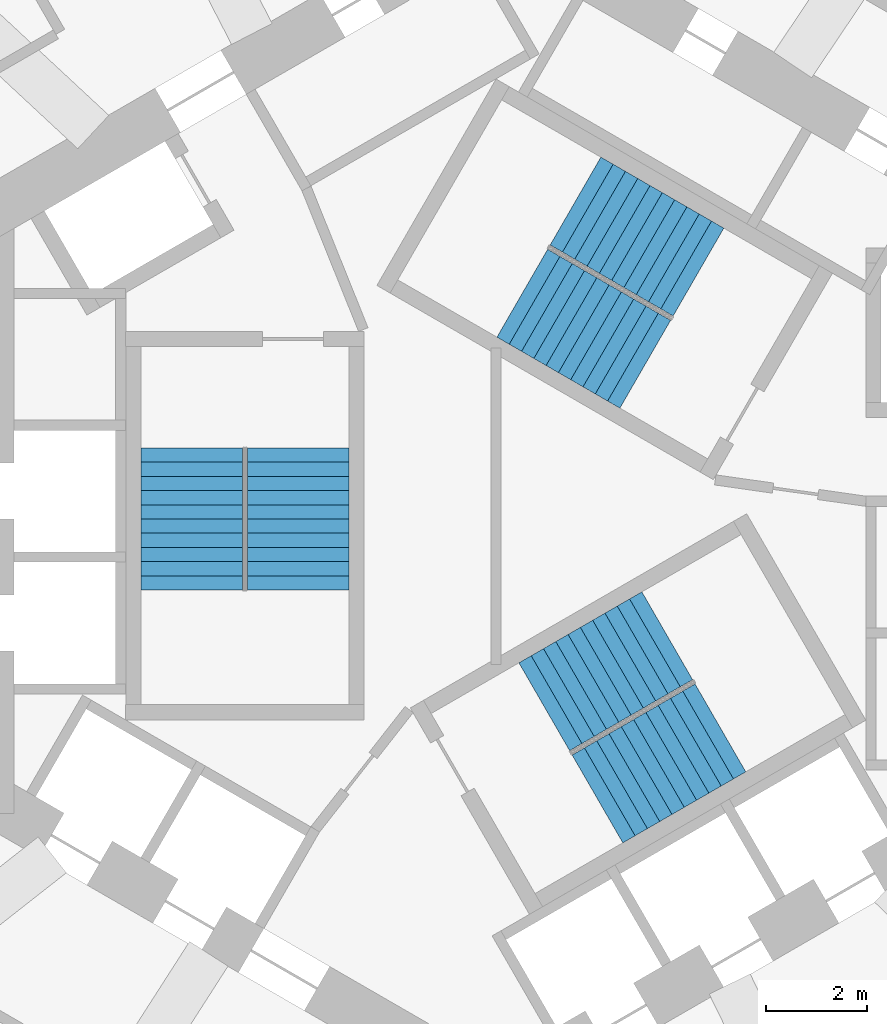
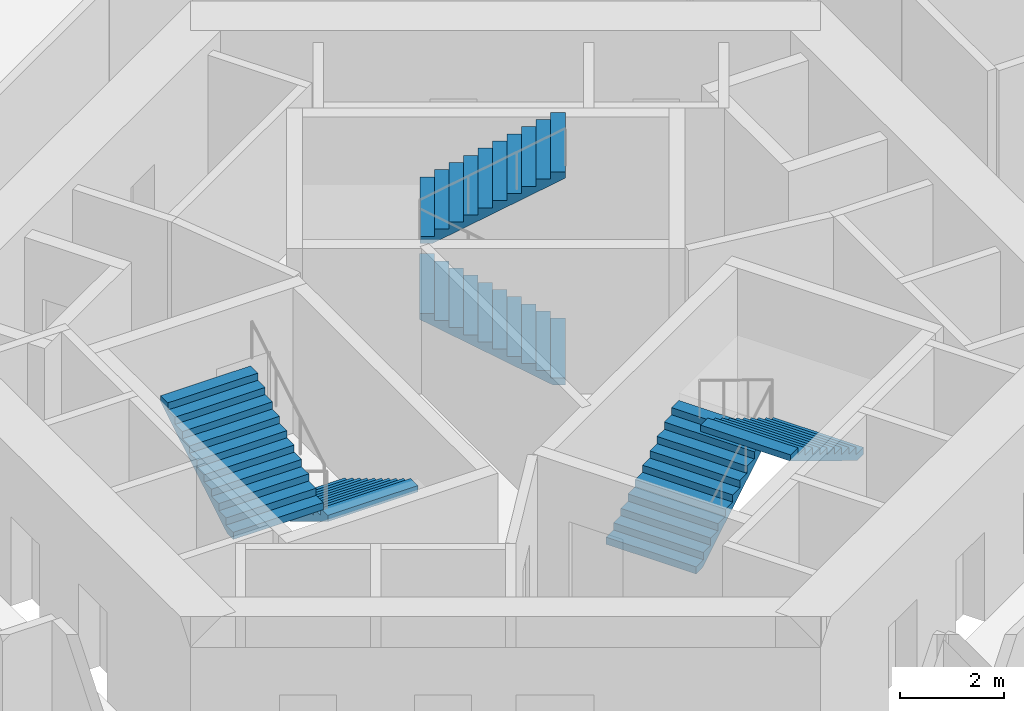
# One storey, part 8 of 10: 6 stair flights, 3 elements without a shape of their own.
"""IFC4 building model written with IfcOpenShell, lengths in metres."""

import ifcopenshell
import ifcopenshell.guid

model = None  # the IFC model being written
_history = None  # IfcOwnerHistory: only IFC2X3 demands one
_inside = {}  # id of a spatial element -> (the spatial element, [elements in it])
_under = {}  # id of a project, library or spatial element -> (it, [spatial elements below it])
_declared = {}  # id of a project -> (the project, [libraries it declares])
_typed = {}  # id of a type object -> (the type object, [elements of that type])
_made_of = {}  # id of a material, layer set ... -> (it, [elements and type objects made of it])


def new_model(schema):
    """Start an empty IFC model of exactly this schema.

    Asked for "IFC4X3", IfcOpenShell would pick the latest addendum, in which some entities
    have other attributes; the version numbers below select the first issue.
    IFC2X3 requires an IfcOwnerHistory on every rooted entity: one is made here for all.
    """
    global model, _history
    if schema == "IFC4X3":
        model = ifcopenshell.file(schema_version=(4, 3, 0, 0))
    else:
        model = ifcopenshell.file(schema=schema)
    _inside.clear()
    _under.clear()
    _declared.clear()
    _typed.clear()
    _made_of.clear()
    _history = None
    if model.schema == "IFC2X3":
        org = make("IfcOrganization", Name="unknown")
        user = make(
            "IfcPersonAndOrganization",
            ThePerson=make("IfcPerson", FamilyName="unknown"),
            TheOrganization=org,
        )
        app = make(
            "IfcApplication",
            ApplicationDeveloper=org,
            Version="unknown",
            ApplicationFullName="unknown",
            ApplicationIdentifier="unknown",
        )
        _history = make(
            "IfcOwnerHistory",
            OwningUser=user,
            OwningApplication=app,
            ChangeAction="ADDED",
            CreationDate=0,
        )
    return model


def make(cls, **values):
    """One entity of the class cls with the attributes given. An attribute that is None is left unset."""
    return model.create_entity(
        cls, **{name: value for name, value in values.items() if value is not None}
    )


def rooted(cls, **values):
    """An entity with a GlobalId (a new one), such as an element, a storey or a relation."""
    return make(cls, GlobalId=ifcopenshell.guid.new(), OwnerHistory=_history, **values)


def si_unit(unit_type, name, prefix=None):
    """IfcSIUnit, for example si_unit("LENGTHUNIT", "METRE", prefix="MILLI")."""
    return make("IfcSIUnit", UnitType=unit_type, Prefix=prefix, Name=name)


def assignment(units):
    """IfcUnitAssignment: the units of a project."""
    return None if units is None else make("IfcUnitAssignment", Units=units)


def point(xyz):
    """IfcCartesianPoint."""
    return None if xyz is None else make("IfcCartesianPoint", Coordinates=xyz)


def direction(xyz):
    """IfcDirection."""
    return None if xyz is None else make("IfcDirection", DirectionRatios=xyz)


def frame(location, z_axis=None, x_axis=None):
    """IfcAxis2Placement3D, a coordinate frame: its origin and axes. An axis left out is left unset."""
    return make(
        "IfcAxis2Placement3D",
        Location=point(location),
        Axis=direction(z_axis),
        RefDirection=direction(x_axis),
    )


def origin():
    """The frame at (0, 0, 0) with its axes left unset."""
    return frame((0.0, 0.0, 0.0))


def place(relative_to, where):
    """IfcLocalPlacement: puts the frame where relative to a parent placement (None: the world)."""
    return make(
        "IfcLocalPlacement", PlacementRelTo=relative_to, RelativePlacement=where
    )


def context(
    kind, dimensions, precision=None, world=None, true_north=None, identifier=None
):
    """IfcGeometricRepresentationContext, for example the 3D "Model" context."""
    return make(
        "IfcGeometricRepresentationContext",
        ContextIdentifier=identifier,
        ContextType=kind,
        CoordinateSpaceDimension=dimensions,
        Precision=precision,
        WorldCoordinateSystem=world,
        TrueNorth=true_north,
    )


def subcontext(parent, identifier, kind, view, scale=None):
    """IfcGeometricRepresentationSubContext, for example "Body" below "Model"."""
    return make(
        "IfcGeometricRepresentationSubContext",
        ContextIdentifier=identifier,
        ContextType=kind,
        ParentContext=parent,
        TargetScale=scale,
        TargetView=view,
    )


def project(units=None, contexts=None):
    """IfcProject with its units and contexts."""
    return rooted(
        "IfcProject",
        Name="project",
        RepresentationContexts=contexts,
        UnitsInContext=assignment(units),
    )


def spatial(cls, under=None, at=None, **own):
    """A site, building, storey or space (cls), placed at a placement, below another one or the project."""
    s = rooted(cls, ObjectPlacement=at, **own)
    if under is not None:
        _under.setdefault(under.id(), (under, []))[1].append(s)
    return s


def point_list(points):
    """IfcCartesianPointList2D or 3D."""
    cls = (
        "IfcCartesianPointList2D" if len(points[0]) == 2 else "IfcCartesianPointList3D"
    )
    return make(cls, CoordList=points)


def triangles(points, corners, closed=None, point_numbers=None):
    """IfcTriangulatedFaceSet: each triangle names its three corners, points numbered from 1."""
    return make(
        "IfcTriangulatedFaceSet",
        Coordinates=point_list(points),
        Closed=closed,
        CoordIndex=corners,
        PnIndex=point_numbers,
    )


def shape(context_of_items, identifier, shape_type, items):
    """IfcShapeRepresentation: the items that make up one representation, for example the "Body"."""
    return make(
        "IfcShapeRepresentation",
        ContextOfItems=context_of_items,
        RepresentationIdentifier=identifier,
        RepresentationType=shape_type,
        Items=items,
    )


def source(mapping_origin, context_of_items, identifier, shape_type, items):
    """IfcRepresentationMap: a shape defined once, which mapped items show again and again."""
    return make(
        "IfcRepresentationMap",
        MappingOrigin=mapping_origin,
        MappedRepresentation=shape(context_of_items, identifier, shape_type, items),
    )


def transform(
    local_origin,
    x_axis=None,
    y_axis=None,
    z_axis=None,
    scale=None,
    scale2=None,
    scale3=None,
    uniform=True,
):
    """IfcCartesianTransformationOperator3D, or its non-uniform kind. x_axis, y_axis, z_axis: its Axis1, 2, 3."""
    if uniform:
        return make(
            "IfcCartesianTransformationOperator3D",
            Axis1=direction(x_axis),
            Axis2=direction(y_axis),
            LocalOrigin=point(local_origin),
            Scale=scale,
            Axis3=direction(z_axis),
        )
    return make(
        "IfcCartesianTransformationOperator3DnonUniform",
        Axis1=direction(x_axis),
        Axis2=direction(y_axis),
        LocalOrigin=point(local_origin),
        Scale=scale,
        Axis3=direction(z_axis),
        Scale2=scale2,
        Scale3=scale3,
    )


def mapped(mapping_source, mapping_target):
    """IfcMappedItem: shows the shape of a source again, moved by a transform."""
    return make(
        "IfcMappedItem", MappingSource=mapping_source, MappingTarget=mapping_target
    )


def material(Name=None, Category=None):
    """IfcMaterial."""
    return make("IfcMaterial", Name=Name, Category=Category)


def made_of(thing, what):
    """Note that an element or type object is made of a material, layer set ...; save() writes the relation."""
    if what is not None:
        _made_of.setdefault(what.id(), (what, []))[1].append(thing)
    return thing


def type_object(cls, material=None, **own):
    """A type object (cls), such as IfcWallType, which elements share."""
    return made_of(rooted(cls, **own), material)


def element(
    cls,
    number,
    at=None,
    inside=None,
    cuts=None,
    type_object=None,
    material=None,
    context=None,
    identifier="Body",
    shape_type=None,
    held_by="IfcProductDefinitionShape",
    body=None,
    shapes=None,
    **own,
):
    """One element of the class cls, such as IfcWall. Its Tag is "e" and its number.

    at: its placement. inside: the storey or other place that contains it. cuts: it is an
    opening in that element (IfcRelVoidsElement). A single representation is given by context,
    identifier, shape_type and body (its items); several are given by shapes. held_by: the class
    of the entity that holds the representations. save() writes the other relations.
    """
    e = rooted(cls, Tag="e%d" % number, ObjectPlacement=at, **own)
    if body is not None:
        shapes = [shape(context, identifier, shape_type, body)]
    if shapes is not None:
        e.Representation = make(held_by, Representations=shapes)
    if inside is not None:
        _inside.setdefault(inside.id(), (inside, []))[1].append(e)
    if cuts is not None:
        rooted(
            "IfcRelVoidsElement", RelatingBuildingElement=cuts, RelatedOpeningElement=e
        )
    if type_object is not None:
        _typed.setdefault(type_object.id(), (type_object, []))[1].append(e)
    return made_of(e, material)


def aggregate(whole, parts):
    """IfcRelAggregates: a whole, such as a stair, and the parts it consists of."""
    return rooted("IfcRelAggregates", RelatingObject=whole, RelatedObjects=parts)


def save(model, path):
    """Write the relations noted so far, then the file.

    IfcRelAggregates (storeys below a building ...), IfcRelContainedInSpatialStructure (elements
    in a storey), IfcRelDefinesByType, IfcRelAssociatesMaterial and IfcRelDeclares: one each for
    every whole, place, type object, material and project.
    """
    for whole, parts in _under.values():
        aggregate(whole, parts)
    for where, things in _inside.values():
        rooted(
            "IfcRelContainedInSpatialStructure",
            RelatedElements=things,
            RelatingStructure=where,
        )
    for kind, things in _typed.values():
        rooted("IfcRelDefinesByType", RelatedObjects=things, RelatingType=kind)
    for what, things in _made_of.values():
        rooted("IfcRelAssociatesMaterial", RelatedObjects=things, RelatingMaterial=what)
    for by, libraries in _declared.values():
        rooted("IfcRelDeclares", RelatingContext=by, RelatedDefinitions=libraries)
    model.write(path)


model = new_model("IFC4")

# Units and contexts
model_context = context("Model", 3, precision=1e-05, world=origin(), true_north=direction((0.0, 1.0)))
body_context = subcontext(model_context, "Body", "Model", "MODEL_VIEW")
ifc_project = project(units=[si_unit("LENGTHUNIT", "METRE"), si_unit("AREAUNIT", "SQUARE_METRE"), si_unit("VOLUMEUNIT", "CUBIC_METRE"), si_unit("PLANEANGLEUNIT", "RADIAN"), si_unit("MASSUNIT", "GRAM", prefix="KILO")], contexts=[model_context])

# Site, building, storey
site_placement = place(None, origin())
site = spatial("IfcSite", under=ifc_project, at=site_placement, CompositionType="ELEMENT")
building_placement = place(site_placement, origin())
building = spatial("IfcBuilding", under=site, at=building_placement, Name="Vanh Sen Convention Tower", CompositionType="ELEMENT")
storey_placement = place(building_placement, frame((0.0, 0.0, 161.39990234375)))
storey = spatial("IfcBuildingStorey", under=building, at=storey_placement, Name="L39", CompositionType="ELEMENT", Elevation=161.39990234375)

# Stair, stair flights
ifc_material_1 = material(Name="Concrete C50/60", Category="concrete")
stair_type_1 = type_object("IfcStairType", Name="Exit stair ST1 22 risers at 168.2", PredefinedType="HALF_TURN_STAIR", material=ifc_material_1)
stair_1_placement = place(storey_placement, origin())
stair_1 = element("IfcStair", 1, at=stair_1_placement, inside=storey, type_object=stair_type_1, Name="Exit stair ST1 L39", PredefinedType="HALF_TURN_STAIR")
ifc_material_2 = material(Name="Concrete C40/50", Category="concrete")
stair_flight_type = type_object("IfcStairFlightType", Name="Stair flight 2000", PredefinedType="STRAIGHT", material=ifc_material_2)
shared_shape = source(origin(), body_context, "Body", "Tessellation", [
    triangles([(0.24267578125, 1.0, 0.0), (0.0, 1.0, 0.0), (0.0, 1.0, 0.168212890625), (0.280029296875, 1.0, 0.168212890625), (0.280029296875, 1.0, 0.33642578125), (0.56005859375, 1.0, 0.33642578125), (0.56005859375, 1.0, 0.504638671875), (0.840087890625, 1.0, 0.504638671875), (0.840087890625, 1.0, 0.672607421875), (1.1201171875, 1.0, 0.672607421875), (1.1201171875, 1.0, 0.8408203125), (1.39990234375, 1.0, 0.8408203125), (1.39990234375, 1.0, 1.009033203125), (1.679931640625, 1.0, 1.009033203125), (1.679931640625, 1.0, 1.17724609375), (1.9599609375, 1.0, 1.17724609375), (1.9599609375, 1.0, 1.345458984375), (2.239990234375, 1.0, 1.345458984375), (2.239990234375, 1.0, 1.513671875), (2.52001953125, 1.0, 1.513671875), (2.52001953125, 1.0, 1.681884765625), (2.800048828125, 1.0, 1.681884765625), (2.800048828125, 1.0, 1.535888671875), (0.24267578125, -1.0, 0.0), (0.0, -1.0, 0.0), (0.0, -1.0, 0.168212890625), (0.280029296875, -1.0, 0.168212890625), (0.280029296875, -1.0, 0.33642578125), (0.56005859375, -1.0, 0.33642578125), (0.56005859375, -1.0, 0.504638671875), (0.840087890625, -1.0, 0.504638671875), (0.840087890625, -1.0, 0.672607421875), (1.1201171875, -1.0, 0.672607421875), (1.1201171875, -1.0, 0.8408203125), (1.39990234375, -1.0, 0.8408203125), (1.39990234375, -1.0, 1.009033203125), (1.679931640625, -1.0, 1.009033203125), (1.679931640625, -1.0, 1.17724609375), (1.9599609375, -1.0, 1.17724609375), (1.9599609375, -1.0, 1.345458984375), (2.239990234375, -1.0, 1.345458984375), (2.239990234375, -1.0, 1.513671875), (2.52001953125, -1.0, 1.513671875), (2.52001953125, -1.0, 1.681884765625), (2.800048828125, -1.0, 1.681884765625), (2.800048828125, -1.0, 1.535888671875), (0.0, 0.0400390625, 0.0), (0.0, 0.0390625, 0.0), (0.0, 0.0380859375, 0.0), (0.0, 0.037109375, 0.0), (0.0, 0.035888671875, 0.0), (0.0, 0.034912109375, 0.0), (0.0, 0.033935546875, 0.0), (0.0, 0.032958984375, 0.0), (0.0, 0.031982421875, 0.0), (0.0, 0.031005859375, 0.0), (0.0, 0.030029296875, 0.0), (0.0, 0.029052734375, 0.0), (0.0, 0.028076171875, 0.0), (0.0, 0.027099609375, 0.0), (0.0, 0.02587890625, 0.0), (0.0, 0.02490234375, 0.0), (0.0, 0.02392578125, 0.0), (0.0, 0.02294921875, 0.0), (0.0, 0.02197265625, 0.0), (0.0, 0.02099609375, 0.0), (0.0, 0.02001953125, 0.0), (0.0, 0.01904296875, 0.0), (0.0, 0.01806640625, 0.0), (0.0, 0.01708984375, 0.0), (0.0, 0.01611328125, 0.0), (0.0, 0.014892578125, 0.0), (0.0, 0.013916015625, 0.0), (0.0, 0.012939453125, 0.0), (0.0, 0.011962890625, 0.0), (0.0, 0.010986328125, 0.0), (0.0, 0.010009765625, 0.0), (0.0, 0.009033203125, 0.0), (0.0, 0.008056640625, 0.0), (0.0, 0.007080078125, 0.0), (0.0, 0.006103515625, 0.0), (0.0, 0.0048828125, 0.0), (0.0, 0.00390625, 0.0), (0.0, 0.0029296875, 0.0), (0.0, 0.001953125, 0.0), (0.0, 0.0009765625, 0.0), (0.0, 0.0, 0.0), (0.0, -0.0009765625, 0.0), (0.0, -0.001953125, 0.0), (0.0, -0.0029296875, 0.0), (0.0, -0.00390625, 0.0), (0.0, -0.0048828125, 0.0), (0.0, -0.006103515625, 0.0), (0.0, -0.007080078125, 0.0), (0.0, -0.008056640625, 0.0), (0.0, -0.009033203125, 0.0), (0.0, -0.010009765625, 0.0), (0.0, -0.010986328125, 0.0), (0.0, -0.011962890625, 0.0), (0.0, -0.012939453125, 0.0), (0.0, -0.013916015625, 0.0), (0.0, -0.014892578125, 0.0), (0.0, -0.01611328125, 0.0), (0.0, -0.01708984375, 0.0), (0.0, -0.01806640625, 0.0), (0.0, -0.01904296875, 0.0), (0.0, -0.02001953125, 0.0), (0.0, -0.02099609375, 0.0), (0.0, -0.02197265625, 0.0), (0.0, -0.02294921875, 0.0), (0.0, -0.02392578125, 0.0), (0.0, -0.02490234375, 0.0), (0.0, -0.02587890625, 0.0), (0.0, -0.027099609375, 0.0), (0.0, -0.028076171875, 0.0), (0.0, -0.029052734375, 0.0), (0.0, -0.030029296875, 0.0), (0.0, -0.031005859375, 0.0), (0.0, -0.031982421875, 0.0), (0.0, -0.032958984375, 0.0), (0.0, -0.033935546875, 0.0), (0.0, -0.034912109375, 0.0), (0.0, -0.035888671875, 0.0), (0.0, -0.037109375, 0.0), (0.0, -0.0380859375, 0.0), (0.0, -0.0390625, 0.0), (0.0, -0.0400390625, 0.0), (0.0, 0.0400390625, 0.168212890625), (0.0, 0.0390625, 0.168212890625), (0.0, 0.0380859375, 0.168212890625), (0.0, 0.037109375, 0.168212890625), (0.0, 0.035888671875, 0.168212890625), (0.0, 0.034912109375, 0.168212890625), (0.0, 0.033935546875, 0.168212890625), (0.0, 0.032958984375, 0.168212890625), (0.0, 0.031982421875, 0.168212890625), (0.0, 0.031005859375, 0.168212890625), (0.0, 0.030029296875, 0.168212890625), (0.0, 0.029052734375, 0.168212890625), (0.0, 0.028076171875, 0.168212890625), (0.0, 0.027099609375, 0.168212890625), (0.0, 0.02587890625, 0.168212890625), (0.0, 0.02490234375, 0.168212890625), (0.0, 0.02392578125, 0.168212890625), (0.0, 0.02294921875, 0.168212890625), (0.0, 0.02197265625, 0.168212890625), (0.0, 0.02099609375, 0.168212890625), (0.0, 0.02001953125, 0.168212890625), (0.0, 0.01904296875, 0.168212890625), (0.0, 0.01806640625, 0.168212890625), (0.0, 0.01708984375, 0.168212890625), (0.0, 0.01611328125, 0.168212890625), (0.0, 0.014892578125, 0.168212890625), (0.0, 0.013916015625, 0.168212890625), (0.0, 0.012939453125, 0.168212890625), (0.0, 0.011962890625, 0.168212890625), (0.0, 0.010986328125, 0.168212890625), (0.0, 0.010009765625, 0.168212890625), (0.0, 0.009033203125, 0.168212890625), (0.0, 0.008056640625, 0.168212890625), (0.0, 0.007080078125, 0.168212890625), (0.0, 0.006103515625, 0.168212890625), (0.0, 0.0048828125, 0.168212890625), (0.0, 0.00390625, 0.168212890625), (0.0, 0.0029296875, 0.168212890625), (0.0, 0.001953125, 0.168212890625), (0.0, 0.0009765625, 0.168212890625), (0.0, 0.0, 0.168212890625), (0.0, -0.0009765625, 0.168212890625), (0.0, -0.001953125, 0.168212890625), (0.0, -0.0029296875, 0.168212890625), (0.0, -0.00390625, 0.168212890625), (0.0, -0.0048828125, 0.168212890625), (0.0, -0.006103515625, 0.168212890625), (0.0, -0.007080078125, 0.168212890625), (0.0, -0.008056640625, 0.168212890625), (0.0, -0.009033203125, 0.168212890625), (0.0, -0.010009765625, 0.168212890625), (0.0, -0.010986328125, 0.168212890625), (0.0, -0.011962890625, 0.168212890625), (0.0, -0.012939453125, 0.168212890625), (0.0, -0.013916015625, 0.168212890625), (0.0, -0.014892578125, 0.168212890625), (0.0, -0.01611328125, 0.168212890625), (0.0, -0.01708984375, 0.168212890625), (0.0, -0.01806640625, 0.168212890625), (0.0, -0.01904296875, 0.168212890625), (0.0, -0.02001953125, 0.168212890625), (0.0, -0.02099609375, 0.168212890625), (0.0, -0.02197265625, 0.168212890625), (0.0, -0.02294921875, 0.168212890625), (0.0, -0.02392578125, 0.168212890625), (0.0, -0.02490234375, 0.168212890625), (0.0, -0.02587890625, 0.168212890625), (0.0, -0.027099609375, 0.168212890625), (0.0, -0.028076171875, 0.168212890625), (0.0, -0.029052734375, 0.168212890625), (0.0, -0.030029296875, 0.168212890625), (0.0, -0.031005859375, 0.168212890625), (0.0, -0.031982421875, 0.168212890625), (0.0, -0.032958984375, 0.168212890625), (0.0, -0.033935546875, 0.168212890625), (0.0, -0.034912109375, 0.168212890625), (0.0, -0.035888671875, 0.168212890625), (0.0, -0.037109375, 0.168212890625), (0.0, -0.0380859375, 0.168212890625), (0.0, -0.0390625, 0.168212890625), (0.0, -0.0400390625, 0.168212890625), (0.280029296875, 0.0, 0.168212890625), (0.280029296875, 0.0, 0.33642578125), (0.56005859375, 0.0, 0.33642578125), (0.56005859375, 0.0, 0.504638671875), (0.840087890625, 0.0, 0.504638671875), (0.840087890625, 0.0, 0.672607421875), (1.1201171875, 0.0, 0.672607421875), (1.1201171875, 0.0, 0.8408203125), (1.39990234375, 0.0, 0.8408203125), (1.39990234375, 0.0, 1.009033203125), (1.679931640625, 0.0, 1.009033203125), (1.679931640625, 0.0, 1.17724609375), (1.9599609375, 0.0, 1.17724609375), (1.9599609375, 0.0, 1.345458984375), (2.239990234375, 0.0, 1.345458984375), (2.239990234375, 0.0, 1.513671875), (2.52001953125, 0.0, 1.513671875), (2.52001953125, 0.0, 1.681884765625), (2.800048828125, 0.0400390625, 1.681884765625), (2.800048828125, 0.0390625, 1.681884765625), (2.800048828125, 0.0380859375, 1.681884765625), (2.800048828125, 0.037109375, 1.681884765625), (2.800048828125, 0.035888671875, 1.681884765625), (2.800048828125, 0.034912109375, 1.681884765625), (2.800048828125, 0.033935546875, 1.681884765625), (2.800048828125, 0.032958984375, 1.681884765625), (2.800048828125, 0.031982421875, 1.681884765625), (2.800048828125, 0.031005859375, 1.681884765625), (2.800048828125, 0.030029296875, 1.681884765625), (2.800048828125, 0.029052734375, 1.681884765625), (2.800048828125, 0.028076171875, 1.681884765625), (2.800048828125, 0.027099609375, 1.681884765625), (2.800048828125, 0.02587890625, 1.681884765625), (2.800048828125, 0.02490234375, 1.681884765625), (2.800048828125, 0.02392578125, 1.681884765625), (2.800048828125, 0.02294921875, 1.681884765625), (2.800048828125, 0.02197265625, 1.681884765625), (2.800048828125, 0.02099609375, 1.681884765625), (2.800048828125, 0.02001953125, 1.681884765625), (2.800048828125, 0.01904296875, 1.681884765625), (2.800048828125, 0.01806640625, 1.681884765625), (2.800048828125, 0.01708984375, 1.681884765625), (2.800048828125, 0.01611328125, 1.681884765625), (2.800048828125, 0.014892578125, 1.681884765625), (2.800048828125, 0.013916015625, 1.681884765625), (2.800048828125, 0.012939453125, 1.681884765625), (2.800048828125, 0.011962890625, 1.681884765625), (2.800048828125, 0.010986328125, 1.681884765625), (2.800048828125, 0.010009765625, 1.681884765625), (2.800048828125, 0.009033203125, 1.681884765625), (2.800048828125, 0.008056640625, 1.681884765625), (2.800048828125, 0.007080078125, 1.681884765625), (2.800048828125, 0.006103515625, 1.681884765625), (2.800048828125, 0.0048828125, 1.681884765625), (2.800048828125, 0.00390625, 1.681884765625), (2.800048828125, 0.0029296875, 1.681884765625), (2.800048828125, 0.001953125, 1.681884765625), (2.800048828125, 0.0009765625, 1.681884765625), (2.800048828125, 0.0, 1.681884765625), (2.800048828125, -0.0009765625, 1.681884765625), (2.800048828125, -0.001953125, 1.681884765625), (2.800048828125, -0.0029296875, 1.681884765625), (2.800048828125, -0.00390625, 1.681884765625), (2.800048828125, -0.0048828125, 1.681884765625), (2.800048828125, -0.006103515625, 1.681884765625), (2.800048828125, -0.007080078125, 1.681884765625), (2.800048828125, -0.008056640625, 1.681884765625), (2.800048828125, -0.009033203125, 1.681884765625), (2.800048828125, -0.010009765625, 1.681884765625), (2.800048828125, -0.010986328125, 1.681884765625), (2.800048828125, -0.011962890625, 1.681884765625), (2.800048828125, -0.012939453125, 1.681884765625), (2.800048828125, -0.013916015625, 1.681884765625), (2.800048828125, -0.014892578125, 1.681884765625), (2.800048828125, -0.01611328125, 1.681884765625), (2.800048828125, -0.01708984375, 1.681884765625), (2.800048828125, -0.01806640625, 1.681884765625), (2.800048828125, -0.01904296875, 1.681884765625), (2.800048828125, -0.02001953125, 1.681884765625), (2.800048828125, -0.02099609375, 1.681884765625), (2.800048828125, -0.02197265625, 1.681884765625), (2.800048828125, -0.02294921875, 1.681884765625), (2.800048828125, -0.02392578125, 1.681884765625), (2.800048828125, -0.02490234375, 1.681884765625), (2.800048828125, -0.02587890625, 1.681884765625), (2.800048828125, -0.027099609375, 1.681884765625), (2.800048828125, -0.028076171875, 1.681884765625), (2.800048828125, -0.029052734375, 1.681884765625), (2.800048828125, -0.030029296875, 1.681884765625), (2.800048828125, -0.031005859375, 1.681884765625), (2.800048828125, -0.031982421875, 1.681884765625), (2.800048828125, -0.032958984375, 1.681884765625), (2.800048828125, -0.033935546875, 1.681884765625), (2.800048828125, -0.034912109375, 1.681884765625), (2.800048828125, -0.035888671875, 1.681884765625), (2.800048828125, -0.037109375, 1.681884765625), (2.800048828125, -0.0380859375, 1.681884765625), (2.800048828125, -0.0390625, 1.681884765625), (2.800048828125, -0.0400390625, 1.681884765625), (2.800048828125, 0.0400390625, 1.535888671875), (2.800048828125, 0.0390625, 1.535888671875), (2.800048828125, 0.0380859375, 1.535888671875), (2.800048828125, 0.037109375, 1.535888671875), (2.800048828125, 0.035888671875, 1.535888671875), (2.800048828125, 0.034912109375, 1.535888671875), (2.800048828125, 0.033935546875, 1.535888671875), (2.800048828125, 0.032958984375, 1.535888671875), (2.800048828125, 0.031982421875, 1.535888671875), (2.800048828125, 0.031005859375, 1.535888671875), (2.800048828125, 0.030029296875, 1.535888671875), (2.800048828125, 0.029052734375, 1.535888671875), (2.800048828125, 0.028076171875, 1.535888671875), (2.800048828125, 0.027099609375, 1.535888671875), (2.800048828125, 0.02587890625, 1.535888671875), (2.800048828125, 0.02490234375, 1.535888671875), (2.800048828125, 0.02392578125, 1.535888671875), (2.800048828125, 0.02294921875, 1.535888671875), (2.800048828125, 0.02197265625, 1.535888671875), (2.800048828125, 0.02099609375, 1.535888671875), (2.800048828125, 0.02001953125, 1.535888671875), (2.800048828125, 0.01904296875, 1.535888671875), (2.800048828125, 0.01806640625, 1.535888671875), (2.800048828125, 0.01708984375, 1.535888671875), (2.800048828125, 0.01611328125, 1.535888671875), (2.800048828125, 0.014892578125, 1.535888671875), (2.800048828125, 0.013916015625, 1.535888671875), (2.800048828125, 0.012939453125, 1.535888671875), (2.800048828125, 0.011962890625, 1.535888671875), (2.800048828125, 0.010986328125, 1.535888671875), (2.800048828125, 0.010009765625, 1.535888671875), (2.800048828125, 0.009033203125, 1.535888671875), (2.800048828125, 0.008056640625, 1.535888671875), (2.800048828125, 0.007080078125, 1.535888671875), (2.800048828125, 0.006103515625, 1.535888671875), (2.800048828125, 0.0048828125, 1.535888671875), (2.800048828125, 0.00390625, 1.535888671875), (2.800048828125, 0.0029296875, 1.535888671875), (2.800048828125, 0.001953125, 1.535888671875), (2.800048828125, 0.0009765625, 1.535888671875), (2.800048828125, 0.0, 1.535888671875), (2.800048828125, -0.0009765625, 1.535888671875), (2.800048828125, -0.001953125, 1.535888671875), (2.800048828125, -0.0029296875, 1.535888671875), (2.800048828125, -0.00390625, 1.535888671875), (2.800048828125, -0.0048828125, 1.535888671875), (2.800048828125, -0.006103515625, 1.535888671875), (2.800048828125, -0.007080078125, 1.535888671875), (2.800048828125, -0.008056640625, 1.535888671875), (2.800048828125, -0.009033203125, 1.535888671875), (2.800048828125, -0.010009765625, 1.535888671875), (2.800048828125, -0.010986328125, 1.535888671875), (2.800048828125, -0.011962890625, 1.535888671875), (2.800048828125, -0.012939453125, 1.535888671875), (2.800048828125, -0.013916015625, 1.535888671875), (2.800048828125, -0.014892578125, 1.535888671875), (2.800048828125, -0.01611328125, 1.535888671875), (2.800048828125, -0.01708984375, 1.535888671875), (2.800048828125, -0.01806640625, 1.535888671875), (2.800048828125, -0.01904296875, 1.535888671875), (2.800048828125, -0.02001953125, 1.535888671875), (2.800048828125, -0.02099609375, 1.535888671875), (2.800048828125, -0.02197265625, 1.535888671875), (2.800048828125, -0.02294921875, 1.535888671875), (2.800048828125, -0.02392578125, 1.535888671875), (2.800048828125, -0.02490234375, 1.535888671875), (2.800048828125, -0.02587890625, 1.535888671875), (2.800048828125, -0.027099609375, 1.535888671875), (2.800048828125, -0.028076171875, 1.535888671875), (2.800048828125, -0.029052734375, 1.535888671875), (2.800048828125, -0.030029296875, 1.535888671875), (2.800048828125, -0.031005859375, 1.535888671875), (2.800048828125, -0.031982421875, 1.535888671875), (2.800048828125, -0.032958984375, 1.535888671875), (2.800048828125, -0.033935546875, 1.535888671875), (2.800048828125, -0.034912109375, 1.535888671875), (2.800048828125, -0.035888671875, 1.535888671875), (2.800048828125, -0.037109375, 1.535888671875), (2.800048828125, -0.0380859375, 1.535888671875), (2.800048828125, -0.0390625, 1.535888671875), (2.800048828125, -0.0400390625, 1.535888671875), (0.24267578125, 0.0, 0.0)], [[1, 2, 3], [1, 3, 4], [4, 5, 6], [1, 4, 6], [6, 7, 8], [1, 6, 8], [8, 9, 10], [1, 8, 10], [10, 11, 12], [1, 10, 12], [12, 13, 14], [1, 12, 14], [14, 15, 16], [1, 14, 16], [16, 17, 18], [1, 16, 18], [18, 19, 20], [1, 18, 20], [20, 21, 22], [1, 20, 22], [22, 23, 1], [24, 26, 25], [24, 27, 26], [27, 29, 28], [24, 29, 27], [29, 31, 30], [24, 31, 29], [31, 33, 32], [24, 33, 31], [33, 35, 34], [24, 35, 33], [35, 37, 36], [24, 37, 35], [37, 39, 38], [24, 39, 37], [39, 41, 40], [24, 41, 39], [41, 43, 42], [24, 43, 41], [43, 45, 44], [24, 45, 43], [45, 24, 46], [2, 128, 3], [2, 47, 128], [47, 129, 128], [47, 48, 129], [48, 130, 129], [48, 49, 130], [49, 131, 130], [49, 50, 131], [50, 132, 131], [50, 51, 132], [51, 133, 132], [51, 52, 133], [52, 134, 133], [52, 53, 134], [53, 135, 134], [53, 54, 135], [54, 136, 135], [54, 55, 136], [55, 137, 136], [55, 56, 137], [56, 138, 137], [56, 57, 138], [57, 139, 138], [57, 58, 139], [58, 140, 139], [58, 59, 140], [59, 141, 140], [59, 60, 141], [60, 142, 141], [60, 61, 142], [61, 143, 142], [61, 62, 143], [62, 144, 143], [62, 63, 144], [63, 145, 144], [63, 64, 145], [64, 146, 145], [64, 65, 146], [65, 147, 146], [65, 66, 147], [66, 148, 147], [66, 67, 148], [67, 149, 148], [67, 68, 149], [68, 150, 149], [68, 69, 150], [69, 151, 150], [69, 70, 151], [70, 152, 151], [70, 71, 152], [71, 153, 152], [71, 72, 153], [72, 154, 153], [72, 73, 154], [73, 155, 154], [73, 74, 155], [74, 156, 155], [74, 75, 156], [75, 157, 156], [75, 76, 157], [76, 158, 157], [76, 77, 158], [77, 159, 158], [77, 78, 159], [78, 160, 159], [78, 79, 160], [79, 161, 160], [79, 80, 161], [80, 162, 161], [80, 81, 162], [81, 163, 162], [81, 82, 163], [82, 164, 163], [82, 83, 164], [83, 165, 164], [83, 84, 165], [84, 166, 165], [84, 85, 166], [85, 167, 166], [85, 86, 167], [86, 168, 167], [86, 87, 168], [87, 88, 168], [168, 88, 169], [88, 89, 169], [169, 89, 170], [89, 90, 170], [170, 90, 171], [90, 91, 171], [171, 91, 172], [91, 92, 172], [172, 92, 173], [92, 93, 173], [173, 93, 174], [93, 94, 174], [174, 94, 175], [94, 95, 175], [175, 95, 176], [95, 96, 176], [176, 96, 177], [96, 97, 177], [177, 97, 178], [97, 98, 178], [178, 98, 179], [98, 99, 179], [179, 99, 180], [99, 100, 180], [180, 100, 181], [100, 101, 181], [181, 101, 182], [101, 102, 182], [182, 102, 183], [102, 103, 183], [183, 103, 184], [103, 104, 184], [184, 104, 185], [104, 105, 185], [185, 105, 186], [105, 106, 186], [186, 106, 187], [106, 107, 187], [187, 107, 188], [107, 108, 188], [188, 108, 189], [108, 109, 189], [189, 109, 190], [109, 110, 190], [190, 110, 191], [110, 111, 191], [191, 111, 192], [111, 112, 192], [192, 112, 193], [112, 113, 193], [193, 113, 194], [113, 114, 194], [194, 114, 195], [114, 115, 195], [195, 115, 196], [115, 116, 196], [196, 116, 197], [116, 117, 197], [197, 117, 198], [117, 118, 198], [198, 118, 199], [118, 119, 199], [199, 119, 200], [119, 120, 200], [200, 120, 201], [120, 121, 201], [201, 121, 202], [121, 122, 202], [202, 122, 203], [122, 123, 203], [203, 123, 204], [123, 124, 204], [204, 124, 205], [124, 125, 205], [205, 125, 206], [125, 126, 206], [206, 126, 207], [126, 127, 207], [207, 127, 208], [127, 25, 208], [208, 25, 26], [4, 3, 128], [4, 128, 129], [4, 129, 130], [4, 130, 131], [4, 131, 132], [4, 132, 133], [4, 133, 134], [4, 134, 135], [4, 135, 136], [4, 136, 137], [4, 137, 138], [4, 138, 139], [4, 139, 140], [4, 140, 141], [4, 141, 142], [4, 142, 143], [4, 143, 144], [4, 144, 145], [4, 145, 146], [4, 146, 147], [4, 147, 148], [4, 148, 149], [4, 149, 150], [4, 150, 151], [4, 151, 152], [4, 152, 153], [4, 153, 154], [4, 154, 155], [4, 155, 156], [4, 156, 157], [4, 157, 158], [4, 158, 159], [4, 159, 160], [4, 160, 161], [4, 161, 162], [4, 162, 163], [4, 163, 164], [4, 164, 165], [4, 165, 166], [4, 166, 167], [4, 167, 168], [27, 168, 169], [27, 169, 170], [27, 170, 171], [27, 171, 172], [27, 172, 173], [27, 173, 174], [27, 174, 175], [27, 175, 176], [27, 176, 177], [27, 177, 178], [27, 178, 179], [27, 179, 180], [27, 180, 181], [27, 181, 182], [27, 182, 183], [27, 183, 184], [27, 184, 185], [27, 185, 186], [27, 186, 187], [27, 187, 188], [27, 188, 189], [27, 189, 190], [27, 190, 191], [27, 191, 192], [27, 192, 193], [27, 193, 194], [27, 194, 195], [27, 195, 196], [27, 196, 197], [27, 197, 198], [27, 198, 199], [27, 199, 200], [27, 200, 201], [27, 201, 202], [27, 202, 203], [27, 203, 204], [27, 204, 205], [27, 205, 206], [27, 206, 207], [27, 207, 208], [27, 208, 26], [4, 168, 209], [27, 209, 168], [4, 210, 5], [4, 209, 210], [209, 27, 210], [210, 27, 28], [5, 211, 6], [5, 210, 211], [210, 28, 211], [211, 28, 29], [6, 212, 7], [6, 211, 212], [211, 29, 212], [212, 29, 30], [7, 213, 8], [7, 212, 213], [212, 30, 213], [213, 30, 31], [8, 214, 9], [8, 213, 214], [213, 31, 214], [214, 31, 32], [9, 215, 10], [9, 214, 215], [214, 32, 215], [215, 32, 33], [10, 216, 11], [10, 215, 216], [215, 33, 216], [216, 33, 34], [11, 217, 12], [11, 216, 217], [216, 34, 217], [217, 34, 35], [12, 218, 13], [12, 217, 218], [217, 35, 218], [218, 35, 36], [13, 219, 14], [13, 218, 219], [218, 36, 219], [219, 36, 37], [14, 220, 15], [14, 219, 220], [219, 37, 220], [220, 37, 38], [15, 221, 16], [15, 220, 221], [220, 38, 221], [221, 38, 39], [16, 222, 17], [16, 221, 222], [221, 39, 222], [222, 39, 40], [17, 223, 18], [17, 222, 223], [222, 40, 223], [223, 40, 41], [18, 224, 19], [18, 223, 224], [223, 41, 224], [224, 41, 42], [19, 225, 20], [19, 224, 225], [224, 42, 225], [225, 42, 43], [20, 226, 21], [20, 225, 226], [225, 43, 226], [226, 43, 44], [21, 227, 22], [21, 228, 227], [21, 229, 228], [21, 230, 229], [21, 231, 230], [21, 232, 231], [21, 233, 232], [21, 234, 233], [21, 235, 234], [21, 236, 235], [21, 237, 236], [21, 238, 237], [21, 239, 238], [21, 240, 239], [21, 241, 240], [21, 242, 241], [21, 243, 242], [21, 244, 243], [21, 245, 244], [21, 246, 245], [21, 247, 246], [21, 248, 247], [21, 249, 248], [21, 250, 249], [21, 251, 250], [21, 252, 251], [21, 253, 252], [21, 254, 253], [21, 255, 254], [21, 256, 255], [21, 257, 256], [21, 258, 257], [21, 259, 258], [21, 260, 259], [21, 261, 260], [21, 262, 261], [21, 263, 262], [21, 264, 263], [21, 265, 264], [21, 266, 265], [21, 267, 266], [44, 268, 267], [44, 269, 268], [44, 270, 269], [44, 271, 270], [44, 272, 271], [44, 273, 272], [44, 274, 273], [44, 275, 274], [44, 276, 275], [44, 277, 276], [44, 278, 277], [44, 279, 278], [44, 280, 279], [44, 281, 280], [44, 282, 281], [44, 283, 282], [44, 284, 283], [44, 285, 284], [44, 286, 285], [44, 287, 286], [44, 288, 287], [44, 289, 288], [44, 290, 289], [44, 291, 290], [44, 292, 291], [44, 293, 292], [44, 294, 293], [44, 295, 294], [44, 296, 295], [44, 297, 296], [44, 298, 297], [44, 299, 298], [44, 300, 299], [44, 301, 300], [44, 302, 301], [44, 303, 302], [44, 304, 303], [44, 305, 304], [44, 306, 305], [44, 307, 306], [44, 45, 307], [21, 226, 267], [44, 267, 226], [22, 308, 23], [22, 227, 308], [227, 309, 308], [227, 228, 309], [228, 310, 309], [228, 229, 310], [229, 311, 310], [229, 230, 311], [230, 312, 311], [230, 231, 312], [231, 313, 312], [231, 232, 313], [232, 314, 313], [232, 233, 314], [233, 315, 314], [233, 234, 315], [234, 316, 315], [234, 235, 316], [235, 317, 316], [235, 236, 317], [236, 318, 317], [236, 237, 318], [237, 319, 318], [237, 238, 319], [238, 320, 319], [238, 239, 320], [239, 321, 320], [239, 240, 321], [240, 322, 321], [240, 241, 322], [241, 323, 322], [241, 242, 323], [242, 324, 323], [242, 243, 324], [243, 325, 324], [243, 244, 325], [244, 326, 325], [244, 245, 326], [245, 327, 326], [245, 246, 327], [246, 328, 327], [246, 247, 328], [247, 329, 328], [247, 248, 329], [248, 330, 329], [248, 249, 330], [249, 331, 330], [249, 250, 331], [250, 332, 331], [250, 251, 332], [251, 333, 332], [251, 252, 333], [252, 334, 333], [252, 253, 334], [253, 335, 334], [253, 254, 335], [254, 336, 335], [254, 255, 336], [255, 337, 336], [255, 256, 337], [256, 338, 337], [256, 257, 338], [257, 339, 338], [257, 258, 339], [258, 340, 339], [258, 259, 340], [259, 341, 340], [259, 260, 341], [260, 342, 341], [260, 261, 342], [261, 343, 342], [261, 262, 343], [262, 344, 343], [262, 263, 344], [263, 345, 344], [263, 264, 345], [264, 346, 345], [264, 265, 346], [265, 347, 346], [265, 266, 347], [266, 348, 347], [266, 267, 348], [267, 268, 348], [348, 268, 349], [268, 269, 349], [349, 269, 350], [269, 270, 350], [350, 270, 351], [270, 271, 351], [351, 271, 352], [271, 272, 352], [352, 272, 353], [272, 273, 353], [353, 273, 354], [273, 274, 354], [354, 274, 355], [274, 275, 355], [355, 275, 356], [275, 276, 356], [356, 276, 357], [276, 277, 357], [357, 277, 358], [277, 278, 358], [358, 278, 359], [278, 279, 359], [359, 279, 360], [279, 280, 360], [360, 280, 361], [280, 281, 361], [361, 281, 362], [281, 282, 362], [362, 282, 363], [282, 283, 363], [363, 283, 364], [283, 284, 364], [364, 284, 365], [284, 285, 365], [365, 285, 366], [285, 286, 366], [366, 286, 367], [286, 287, 367], [367, 287, 368], [287, 288, 368], [368, 288, 369], [288, 289, 369], [369, 289, 370], [289, 290, 370], [370, 290, 371], [290, 291, 371], [371, 291, 372], [291, 292, 372], [372, 292, 373], [292, 293, 373], [373, 293, 374], [293, 294, 374], [374, 294, 375], [294, 295, 375], [375, 295, 376], [295, 296, 376], [376, 296, 377], [296, 297, 377], [377, 297, 378], [297, 298, 378], [378, 298, 379], [298, 299, 379], [379, 299, 380], [299, 300, 380], [380, 300, 381], [300, 301, 381], [381, 301, 382], [301, 302, 382], [382, 302, 383], [302, 303, 383], [383, 303, 384], [303, 304, 384], [384, 304, 385], [304, 305, 385], [385, 305, 386], [305, 306, 386], [386, 306, 387], [306, 307, 387], [387, 307, 388], [307, 45, 388], [388, 45, 46], [1, 23, 308], [1, 308, 309], [1, 309, 310], [1, 310, 311], [1, 311, 312], [1, 312, 313], [1, 313, 314], [1, 314, 315], [1, 315, 316], [1, 316, 317], [1, 317, 318], [1, 318, 319], [1, 319, 320], [1, 320, 321], [1, 321, 322], [1, 322, 323], [1, 323, 324], [1, 324, 325], [1, 325, 326], [1, 326, 327], [1, 327, 328], [1, 328, 329], [1, 329, 330], [1, 330, 331], [1, 331, 332], [1, 332, 333], [1, 333, 334], [1, 334, 335], [1, 335, 336], [1, 336, 337], [1, 337, 338], [1, 338, 339], [1, 339, 340], [1, 340, 341], [1, 341, 342], [1, 342, 343], [1, 343, 344], [1, 344, 345], [1, 345, 346], [1, 346, 347], [1, 347, 348], [24, 348, 349], [24, 349, 350], [24, 350, 351], [24, 351, 352], [24, 352, 353], [24, 353, 354], [24, 354, 355], [24, 355, 356], [24, 356, 357], [24, 357, 358], [24, 358, 359], [24, 359, 360], [24, 360, 361], [24, 361, 362], [24, 362, 363], [24, 363, 364], [24, 364, 365], [24, 365, 366], [24, 366, 367], [24, 367, 368], [24, 368, 369], [24, 369, 370], [24, 370, 371], [24, 371, 372], [24, 372, 373], [24, 373, 374], [24, 374, 375], [24, 375, 376], [24, 376, 377], [24, 377, 378], [24, 378, 379], [24, 379, 380], [24, 380, 381], [24, 381, 382], [24, 382, 383], [24, 383, 384], [24, 384, 385], [24, 385, 386], [24, 386, 387], [24, 387, 388], [24, 388, 46], [1, 348, 389], [24, 389, 348], [1, 47, 2], [1, 48, 47], [1, 49, 48], [1, 50, 49], [1, 51, 50], [1, 52, 51], [1, 53, 52], [1, 54, 53], [1, 55, 54], [1, 56, 55], [1, 57, 56], [1, 58, 57], [1, 59, 58], [1, 60, 59], [1, 61, 60], [1, 62, 61], [1, 63, 62], [1, 64, 63], [1, 65, 64], [1, 66, 65], [1, 67, 66], [1, 68, 67], [1, 69, 68], [1, 70, 69], [1, 71, 70], [1, 72, 71], [1, 73, 72], [1, 74, 73], [1, 75, 74], [1, 76, 75], [1, 77, 76], [1, 78, 77], [1, 79, 78], [1, 80, 79], [1, 81, 80], [1, 82, 81], [1, 83, 82], [1, 84, 83], [1, 85, 84], [1, 86, 85], [1, 87, 86], [24, 88, 87], [24, 89, 88], [24, 90, 89], [24, 91, 90], [24, 92, 91], [24, 93, 92], [24, 94, 93], [24, 95, 94], [24, 96, 95], [24, 97, 96], [24, 98, 97], [24, 99, 98], [24, 100, 99], [24, 101, 100], [24, 102, 101], [24, 103, 102], [24, 104, 103], [24, 105, 104], [24, 106, 105], [24, 107, 106], [24, 108, 107], [24, 109, 108], [24, 110, 109], [24, 111, 110], [24, 112, 111], [24, 113, 112], [24, 114, 113], [24, 115, 114], [24, 116, 115], [24, 117, 116], [24, 118, 117], [24, 119, 118], [24, 120, 119], [24, 121, 120], [24, 122, 121], [24, 123, 122], [24, 124, 123], [24, 125, 124], [24, 126, 125], [24, 127, 126], [24, 25, 127], [1, 389, 87], [24, 87, 389]], closed=True),
])
stair_flight_1_placement = place(storey_placement, frame((2.94580078125, 2.802490234375, 0.0), z_axis=(0.0, 0.0, 1.0), x_axis=(-0.866025403784, 0.5, 0.0)))
stair_flight_1 = element("IfcStairFlight", 2, at=stair_flight_1_placement, type_object=stair_flight_type, Name="ST1 flight 1", NumberOfRisers=11, NumberOfTreads=10, PredefinedType="STRAIGHT", RiserHeight=0.168181818, TreadLength=0.28, context=body_context, shape_type="MappedRepresentation", body=[
    mapped(shared_shape, transform((0.0, 0.0, 0.0))),
])
stair_flight_2_placement = place(storey_placement, frame((1.571044921875, 6.021240234375, 1.85009765625), z_axis=(0.0, 0.0, 1.0), x_axis=(0.866025403784, -0.5, 0.0)))
stair_flight_2 = element("IfcStairFlight", 3, at=stair_flight_2_placement, type_object=stair_flight_type, Name="ST1 flight 2", NumberOfRisers=11, NumberOfTreads=10, PredefinedType="STRAIGHT", RiserHeight=0.168181818, TreadLength=0.28, context=body_context, shape_type="MappedRepresentation", body=[
    mapped(shared_shape, transform((0.0, 0.0, 0.0))),
])
aggregate(stair_1, [stair_flight_1, stair_flight_2])

stair_type_2 = type_object("IfcStairType", Name="Exit stair ST2 22 risers at 168.2", PredefinedType="HALF_TURN_STAIR", material=ifc_material_1)
stair_2_placement = place(storey_placement, origin())
stair_2 = element("IfcStair", 4, at=stair_2_placement, inside=storey, type_object=stair_type_2, Name="Exit stair ST2 L39", PredefinedType="HALF_TURN_STAIR")
stair_flight_3_placement = place(storey_placement, frame((-3.89990234375, 1.14990234375, 0.0), z_axis=(0.0, 0.0, 1.0), x_axis=(0.0, -1.0, 0.0)))
stair_flight_3 = element("IfcStairFlight", 5, at=stair_flight_3_placement, type_object=stair_flight_type, Name="ST2 flight 1", NumberOfRisers=11, NumberOfTreads=10, PredefinedType="STRAIGHT", RiserHeight=0.168181818, TreadLength=0.28, context=body_context, shape_type="MappedRepresentation", body=[
    mapped(shared_shape, transform((0.0, 0.0, 0.0))),
])
stair_flight_4_placement = place(storey_placement, frame((-6.0, -1.64990234375, 1.85009765625), z_axis=(0.0, 0.0, 1.0), x_axis=(0.0, 1.0, 0.0)))
stair_flight_4 = element("IfcStairFlight", 6, at=stair_flight_4_placement, type_object=stair_flight_type, Name="ST2 flight 2", NumberOfRisers=11, NumberOfTreads=10, PredefinedType="STRAIGHT", RiserHeight=0.168181818, TreadLength=0.28, context=body_context, shape_type="MappedRepresentation", body=[
    mapped(shared_shape, transform((0.0, 0.0, 0.0))),
])
aggregate(stair_2, [stair_flight_3, stair_flight_4])

stair_type_3 = type_object("IfcStairType", Name="Exit stair ST3 22 risers at 168.2", PredefinedType="HALF_TURN_STAIR", material=ifc_material_1)
stair_3_placement = place(storey_placement, origin())
stair_3 = element("IfcStair", 7, at=stair_3_placement, inside=storey, type_object=stair_type_3, Name="Exit stair ST3 L39", PredefinedType="HALF_TURN_STAIR")
stair_flight_5_placement = place(storey_placement, frame((0.9541015625, -3.952392578125, 0.0), z_axis=(0.0, 0.0, 1.0), x_axis=(0.866025403784, 0.5, 0.0)))
stair_flight_5 = element("IfcStairFlight", 8, at=stair_flight_5_placement, type_object=stair_flight_type, Name="ST3 flight 1", NumberOfRisers=11, NumberOfTreads=10, PredefinedType="STRAIGHT", RiserHeight=0.168181818, TreadLength=0.28, context=body_context, shape_type="MappedRepresentation", body=[
    mapped(shared_shape, transform((0.0, 0.0, 0.0))),
])
stair_flight_6_placement = place(storey_placement, frame((4.428955078125, -4.37109375, 1.85009765625), z_axis=(0.0, 0.0, 1.0), x_axis=(-0.866025403784, -0.5, 0.0)))
stair_flight_6 = element("IfcStairFlight", 9, at=stair_flight_6_placement, type_object=stair_flight_type, Name="ST3 flight 2", NumberOfRisers=11, NumberOfTreads=10, PredefinedType="STRAIGHT", RiserHeight=0.168181818, TreadLength=0.28, context=body_context, shape_type="MappedRepresentation", body=[
    mapped(shared_shape, transform((0.0, 0.0, 0.0))),
])
aggregate(stair_3, [stair_flight_5, stair_flight_6])

save(model, "model.ifc")
